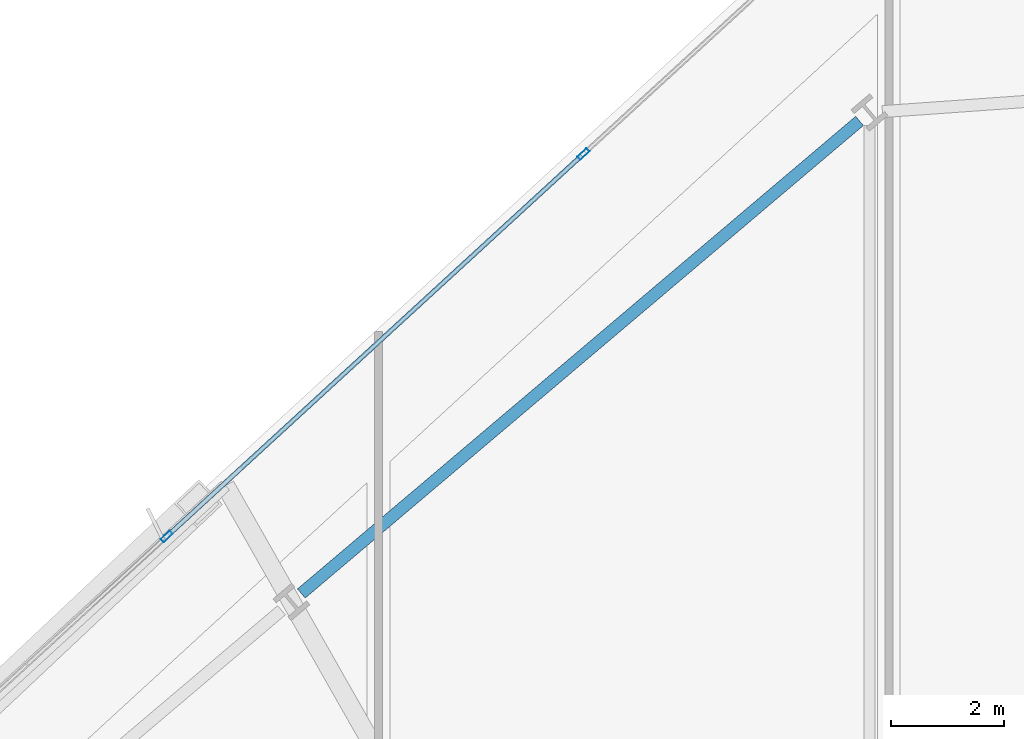
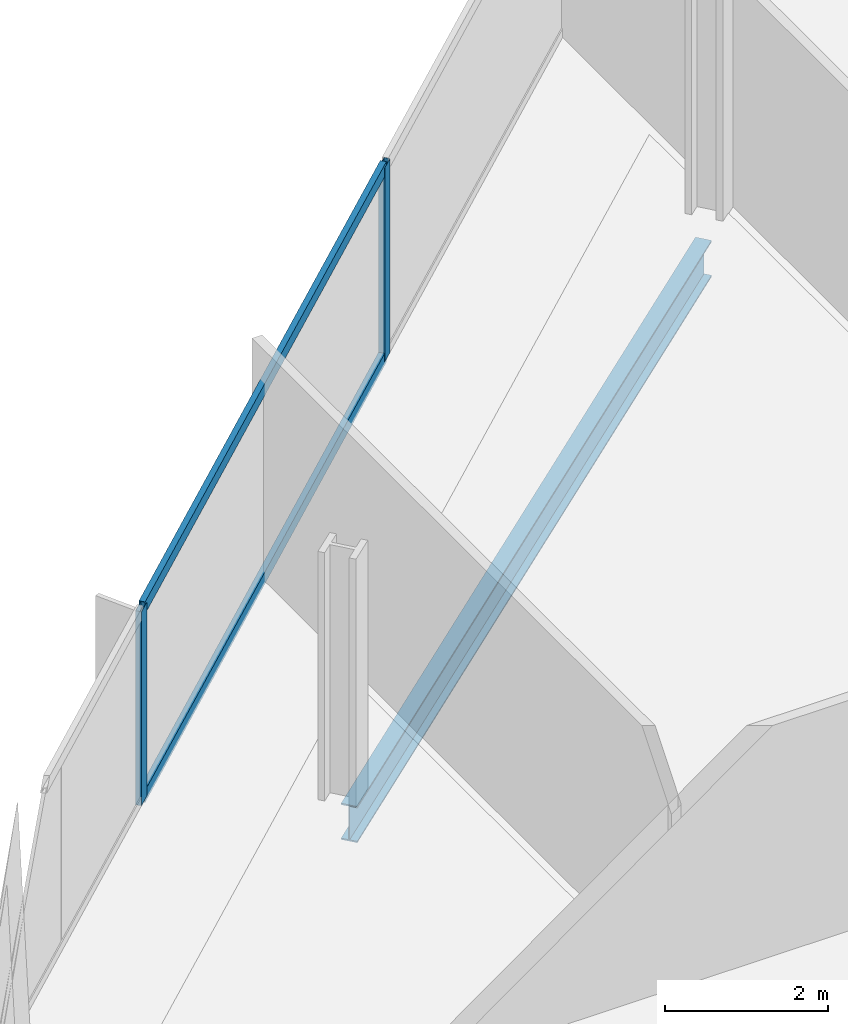
# One storey, part 17 of 32: 4 members, 1 beam, 1 element without a shape of its own.
"""IFC4 building model written with IfcOpenShell, lengths in metres."""

from ifc_helpers import new_model, si_unit, direction, frame, origin, origin_2d, place, context, subcontext, project, spatial, hollow_rectangle, i_section, extrude, material, material_profile, profile_set, type_object, element, aggregate, save


model = new_model("IFC4")

# Units and contexts
model_context = context("Model", 3, precision=1e-05, world=origin(), true_north=direction((0.0, 1.0)))
body_context = subcontext(model_context, "Body", "Model", "MODEL_VIEW")
ifc_project = project(units=[si_unit("LENGTHUNIT", "METRE"), si_unit("AREAUNIT", "SQUARE_METRE"), si_unit("VOLUMEUNIT", "CUBIC_METRE"), si_unit("PLANEANGLEUNIT", "RADIAN"), si_unit("MASSUNIT", "GRAM", prefix="KILO")], contexts=[model_context])

# Site, building, storey
site_placement = place(None, origin())
site = spatial("IfcSite", under=ifc_project, at=site_placement, CompositionType="ELEMENT")
building_placement = place(site_placement, origin())
building = spatial("IfcBuilding", under=site, at=building_placement, Name="Haldenkirk Collegiate Tower", CompositionType="ELEMENT")
storey_placement = place(building_placement, frame((0.0, 0.0, 170.699951171875)))
storey = spatial("IfcBuildingStorey", under=building, at=storey_placement, Name="L42", CompositionType="ELEMENT", Elevation=170.699951171875)

# Beam
ifc_material_1 = material(Name="Steel ASTM A992 Grade 50", Category="steel")
ifc_material_profile_1 = material_profile(ifc_material_1, i_section(OverallWidth=0.2119140625, OverallDepth=0.5439453125, WebThickness=0.01318359375, FlangeThickness=0.021240234375, at=origin_2d()), Name="W21X83")
ifc_profile_set_1 = profile_set([ifc_material_profile_1], Name="Steel ASTM A992 Grade 50")
beam_type = type_object("IfcBeamType", Name="BM-SPANDREL-W21X83", PredefinedType="SPANDREL", material=ifc_profile_set_1)
beam_placement = place(storey_placement, frame((32.482666015625, 50.471435546875, -0.56201171875), z_axis=(-0.763233335078, -0.646122957514, 0.0), x_axis=(0.646122957514, -0.763233335078, 0.0)))
element("IfcBeam", 1, at=beam_placement, inside=storey, type_object=beam_type, Name="L42 perimeter spandrel beam 10", PredefinedType="SPANDREL", context=body_context, shape_type="SweptSolid", body=[
    extrude(i_section(OverallWidth=0.2119140625, OverallDepth=0.5439453125, WebThickness=0.01318359375, FlangeThickness=0.021240234375, at=origin_2d()), origin(), (0.0, 0.0, 1.0), 12.898193359375),
])

# Curtain wall, members
ifc_material_2 = material(Name="Anodised architectural bronze aluminium", Category="aluminium")
curtain_wall_type = type_object("IfcCurtainWallType", Name="CW-SYS1-CONVEX-LOW", PredefinedType="USERDEFINED", material=ifc_material_2)
curtain_wall_placement = place(storey_placement, origin())
curtain_wall = element("IfcCurtainWall", 2, at=curtain_wall_placement, inside=storey, type_object=curtain_wall_type, Name="L42 Lower tower convex bronze-framed unitised curtain wall", ObjectType="UNITISED CURTAIN WALL", PredefinedType="USERDEFINED")
ifc_material_profile_2 = material_profile(ifc_material_2, hollow_rectangle(XDim=0.080078125, YDim=0.219970703125, WallThickness=0.0048828125, at=origin_2d()), Name="CW-MUL-1A")
ifc_profile_set_2 = profile_set([ifc_material_profile_2], Name="Anodised architectural bronze aluminium")
member_type_1 = type_object("IfcMemberType", Name="CW-MUL-1A", PredefinedType="MULLION", material=ifc_profile_set_2)
member_1_placement = place(storey_placement, frame((20.26416015625, 43.142822265625, 0.0), z_axis=(0.0, 0.0, 1.0), x_axis=(-0.676232341046, 0.736688415087, 0.0)))
member_1 = element("IfcMember", 3, at=member_1_placement, type_object=member_type_1, Name="CW-1A mullion 3", PredefinedType="MULLION", context=body_context, shape_type="SweptSolid", body=[
    extrude(hollow_rectangle(XDim=0.080078125, YDim=0.219970703125, WallThickness=0.0048828125, at=origin_2d()), origin(), (0.0, 0.0, 1.0), 2.9111328125),
])
member_2_placement = place(storey_placement, frame((27.612548828125, 49.88818359375, 0.0), z_axis=(0.0, 0.0, 1.0), x_axis=(-0.676232341046, 0.736688415087, 0.0)))
member_2 = element("IfcMember", 4, at=member_2_placement, type_object=member_type_1, Name="CW-1A mullion 4", PredefinedType="MULLION", context=body_context, shape_type="SweptSolid", body=[
    extrude(hollow_rectangle(XDim=0.080078125, YDim=0.219970703125, WallThickness=0.0048828125, at=origin_2d()), origin(), (0.0, 0.0, 1.0), 2.9111328125),
])
ifc_material_profile_3 = material_profile(ifc_material_2, hollow_rectangle(XDim=0.080078125, YDim=0.179931640625, WallThickness=0.0048828125, at=origin_2d()), Name="CW-TRN-1A")
ifc_profile_set_3 = profile_set([ifc_material_profile_3], Name="Anodised architectural bronze aluminium")
member_type_2 = type_object("IfcMemberType", Name="CW-TRN-1A", PredefinedType="USERDEFINED", material=ifc_profile_set_3)
member_3_placement = place(storey_placement, frame((20.29345703125, 43.169677734375, 0.0400390625), z_axis=(0.736684897257, 0.676236173355, 0.0), x_axis=(-0.676236173355, 0.736684897257, 0.0)))
member_3 = element("IfcMember", 5, at=member_3_placement, type_object=member_type_2, Name="CW-1A transom 3.1", ObjectType="TRANSOM", PredefinedType="USERDEFINED", context=body_context, shape_type="SweptSolid", body=[
    extrude(hollow_rectangle(XDim=0.080078125, YDim=0.179931640625, WallThickness=0.0048828125, at=origin_2d()), origin(), (0.0, 0.0, 1.0), 9.89501953125),
])
member_4_placement = place(storey_placement, frame((20.29345703125, 43.169677734375, 2.87109375), z_axis=(0.736684897257, 0.676236173355, 0.0), x_axis=(-0.676236173355, 0.736684897257, 0.0)))
member_4 = element("IfcMember", 6, at=member_4_placement, type_object=member_type_2, Name="CW-1A transom 3.2", ObjectType="TRANSOM", PredefinedType="USERDEFINED", context=body_context, shape_type="SweptSolid", body=[
    extrude(hollow_rectangle(XDim=0.080078125, YDim=0.179931640625, WallThickness=0.0048828125, at=origin_2d()), origin(), (0.0, 0.0, 1.0), 9.89501953125),
])
aggregate(curtain_wall, [member_1, member_2, member_3, member_4])

save(model, "model.ifc")
